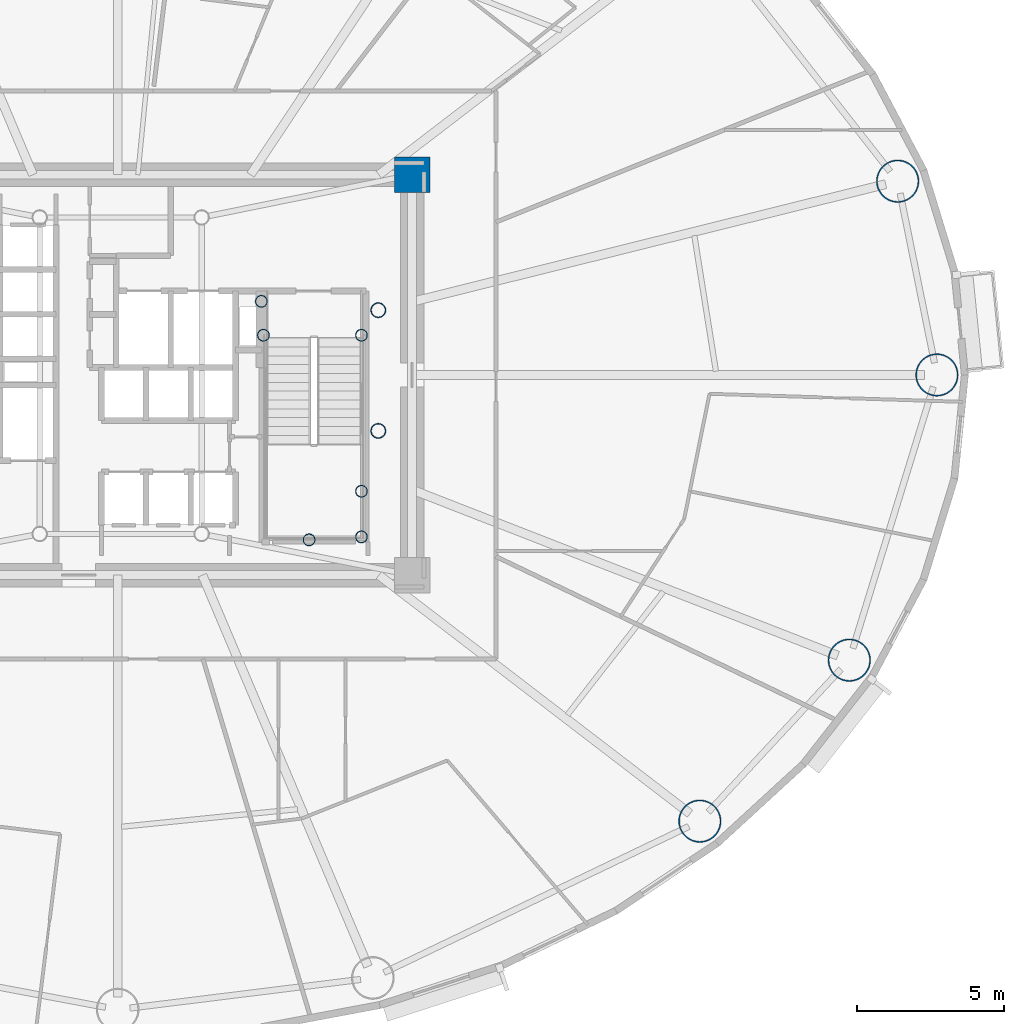
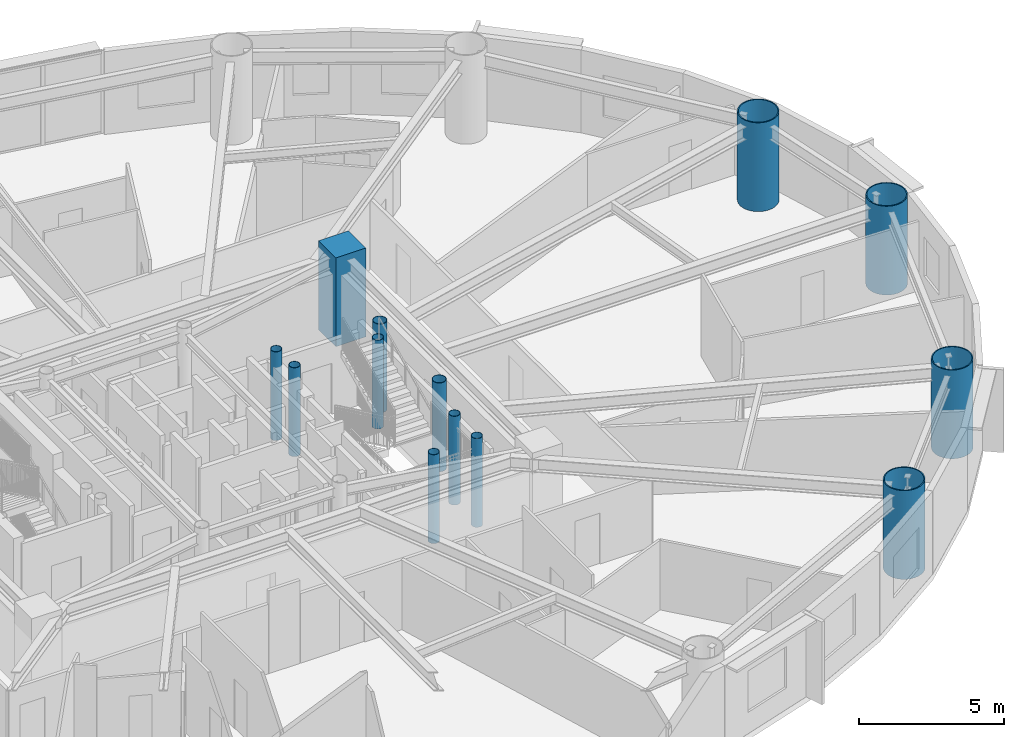
# One storey, part 2 of 18: 13 columns.
"""IFC4 building model written with IfcOpenShell, lengths in metres."""

from ifc_helpers import new_model, si_unit, direction, frame, origin, origin_2d, place, context, subcontext, project, spatial, rectangle, hollow_circle, extrude, material, material_profile, profile_set, type_object, element, save


model = new_model("IFC4")

# Units and contexts
model_context = context("Model", 3, precision=1e-05, world=origin(), true_north=direction((0.0, 1.0)))
body_context = subcontext(model_context, "Body", "Model", "MODEL_VIEW")
ifc_project = project(units=[si_unit("LENGTHUNIT", "METRE"), si_unit("AREAUNIT", "SQUARE_METRE"), si_unit("VOLUMEUNIT", "CUBIC_METRE"), si_unit("PLANEANGLEUNIT", "RADIAN"), si_unit("MASSUNIT", "GRAM", prefix="KILO")], contexts=[model_context])

# Site, building, storey
site_placement = place(None, origin())
site = spatial("IfcSite", under=ifc_project, at=site_placement, CompositionType="ELEMENT")
building_placement = place(site_placement, origin())
building = spatial("IfcBuilding", under=site, at=building_placement, Name="Linh Dai School and Residence Tower", CompositionType="ELEMENT")
storey_placement = place(building_placement, frame((0.0, 0.0, 104.699951171875)))
storey = spatial("IfcBuildingStorey", under=building, at=storey_placement, Name="L24", CompositionType="ELEMENT", Elevation=104.699951171875)

# Columns
ifc_material_1 = material(Name="Concrete B60 (C50/60)", Category="concrete")
ifc_material_profile_1 = material_profile(ifc_material_1, rectangle(XDim=1.199951171875, YDim=1.199951171875, at=origin_2d()), Name="RC 1200x1200")
ifc_profile_set_1 = profile_set([ifc_material_profile_1], Name="Concrete B60 (C50/60)")
column_type_1 = type_object("IfcColumnType", Name="COL-CC2", PredefinedType="COLUMN", material=ifc_profile_set_1)
column_placement = place(storey_placement, frame((46.0, 33.800048828125, 0.0), z_axis=(0.0, 0.0, 1.0), x_axis=(1.0, 0.0, 0.0)))
element("IfcColumn", 1, at=column_placement, inside=storey, type_object=column_type_1, Name="L24 Core Corner Pier CC3", PredefinedType="COLUMN", context=body_context, shape_type="SweptSolid", body=[
    extrude(rectangle(XDim=1.199951171875, YDim=1.199951171875, at=origin_2d()), origin(), (0.0, 0.0, 1.0), 3.75),
])
ifc_material_2 = material(Name="Structural Steel S355JR", Category="steel")
ifc_material_profile_2 = material_profile(ifc_material_2, hollow_circle(Radius=0.203125, WallThickness=0.01611328125, at=origin_2d()), Name="CHS 406.4x16")
ifc_profile_set_2 = profile_set([ifc_material_profile_2], Name="Structural Steel S355JR")
column_type_2 = type_object("IfcColumnType", Name="COL-EC", PredefinedType="COLUMN", material=ifc_profile_set_2)
for number, where, z_axis, x_axis, name in (
    (2, (44.280029296875, 21.5, 0.0), (0.0, 0.0, 1.0), (1.0, 0.0, 0.0), "L24 Stair Shaft Landing Support Pier ST2SE"),
    (3, (44.280029296875, 23.050048828125, 0.0), (0.0, 0.0, 1.0), (1.0, 0.0, 0.0), "L24 Stair Shaft Landing Support Pier ST2NE"),
    (4, (42.5, 21.39990234375, 0.0), (0.0, 0.0, 1.0), (1.0, 0.0, 0.0), "L24 Stair Shaft Landing Support Pier ST2MS"),
    (5, (40.949951171875, 28.35009765625, 0.0), (0.0, 0.0, 1.0), (1.0, 0.0, 0.0), "L24 Stair Shaft Landing Support Pier ST2N1"),
    (6, (44.280029296875, 28.35009765625, 0.0), (0.0, 0.0, 1.0), (1.0, 0.0, 0.0), "L24 Stair Shaft Landing Support Pier ST2N2"),
    (7, (40.8798828125, 29.5, 0.0), (0.0, 0.0, 1.0), (1.0, 0.0, 0.0), "L24 Stair Shaft Landing Support Pier ST2N3"),
):
    element("IfcColumn", number, at=place(storey_placement, frame(where, z_axis=z_axis, x_axis=x_axis)), inside=storey, type_object=column_type_2, Name=name, PredefinedType="COLUMN", context=body_context, shape_type="SweptSolid", body=[
        extrude(hollow_circle(Radius=0.203125, WallThickness=0.01611328125, at=origin_2d()), origin(), (0.0, 0.0, 1.0), 3.75),
    ])
ifc_material_profile_3 = material_profile(ifc_material_2, hollow_circle(Radius=0.72509765625, WallThickness=0.0419921875, at=origin_2d()), Name="CHS 1450x42")
ifc_profile_set_3 = profile_set([ifc_material_profile_3], Name="Structural Steel S355JR")
column_type_3 = type_object("IfcColumnType", Name="COL-MC3", PredefinedType="COLUMN", material=ifc_profile_set_3)
for number, where, z_axis, x_axis, name in (
    (8, (63.824951171875, 27.0, 0.0), (0.0, 0.0, 1.0), (1.0, 0.0, 0.0), "L24 Perimeter CFT Mega-Column MC01"),
    (9, (62.49267578125, 33.5810546875, 0.0), (0.0, 0.0, 1.0), (1.0, 0.0, 0.0), "L24 Perimeter CFT Mega-Column MC02"),
    (10, (55.772705078125, 11.844482421875, 0.0), (0.0, 0.0, 1.0), (1.0, 0.0, 0.0), "L24 Perimeter CFT Mega-Column MC15"),
    (11, (60.84912109375, 17.3125, 0.0), (0.0, 0.0, 1.0), (1.0, 0.0, 0.0), "L24 Perimeter CFT Mega-Column MC16"),
):
    element("IfcColumn", number, at=place(storey_placement, frame(where, z_axis=z_axis, x_axis=x_axis)), inside=storey, type_object=column_type_3, Name=name, PredefinedType="COLUMN", context=body_context, shape_type="SweptSolid", body=[
        extrude(hollow_circle(Radius=0.72509765625, WallThickness=0.0419921875, at=origin_2d()), origin(), (0.0, 0.0, 1.0), 3.75),
    ])
ifc_material_profile_4 = material_profile(ifc_material_2, hollow_circle(Radius=0.25390625, WallThickness=0.02001953125, at=origin_2d()), Name="CHS 508x20")
ifc_profile_set_4 = profile_set([ifc_material_profile_4], Name="Structural Steel S355JR")
column_type_4 = type_object("IfcColumnType", Name="COL-MCP", PredefinedType="COLUMN", material=ifc_profile_set_4)
for number, where, z_axis, x_axis, name in (
    (12, (44.85009765625, 25.10009765625, 0.0), (0.0, 0.0, 1.0), (1.0, 0.0, 0.0), "L24 Sky-Lounge Core Anchor Pier S"),
    (13, (44.85009765625, 29.199951171875, 0.0), (0.0, 0.0, 1.0), (1.0, 0.0, 0.0), "L24 Sky-Lounge Core Anchor Pier N"),
):
    element("IfcColumn", number, at=place(storey_placement, frame(where, z_axis=z_axis, x_axis=x_axis)), inside=storey, type_object=column_type_4, Name=name, PredefinedType="COLUMN", context=body_context, shape_type="SweptSolid", body=[
        extrude(hollow_circle(Radius=0.25390625, WallThickness=0.02001953125, at=origin_2d()), origin(), (0.0, 0.0, 1.0), 3.75),
    ])

save(model, "model.ifc")
